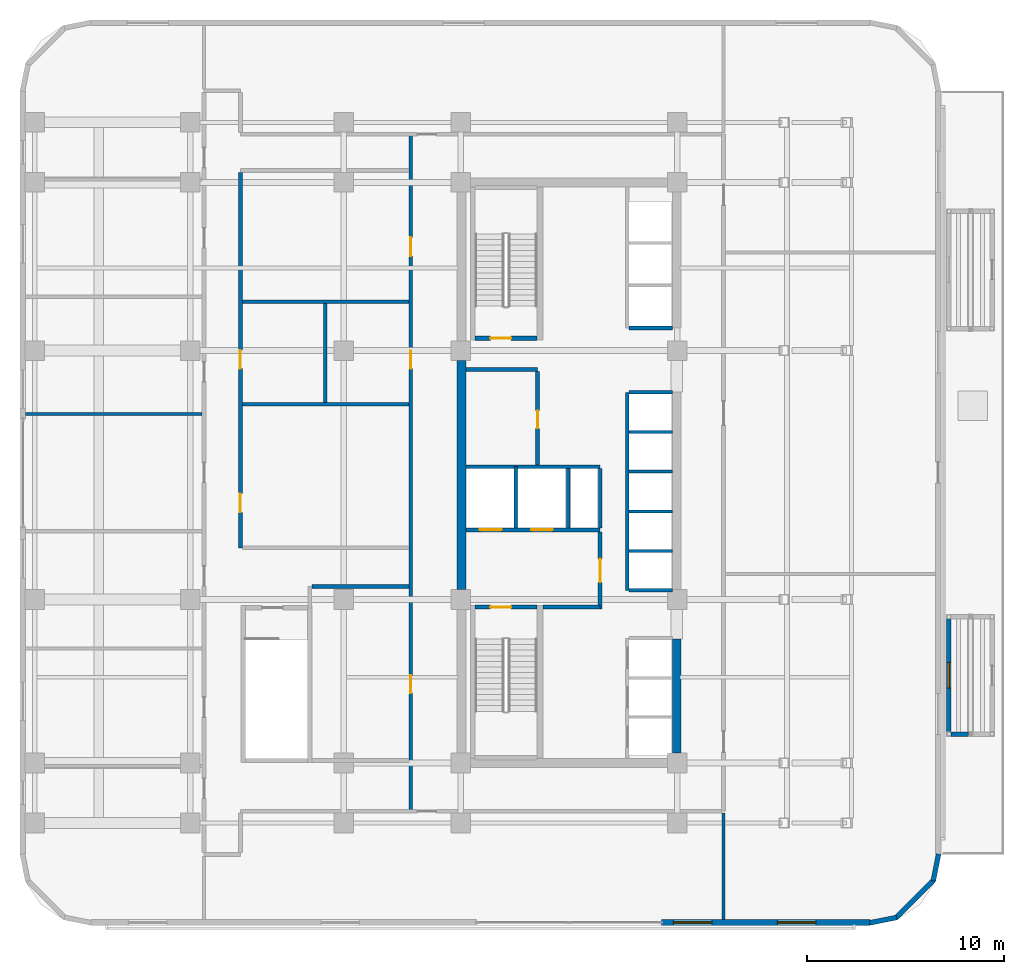
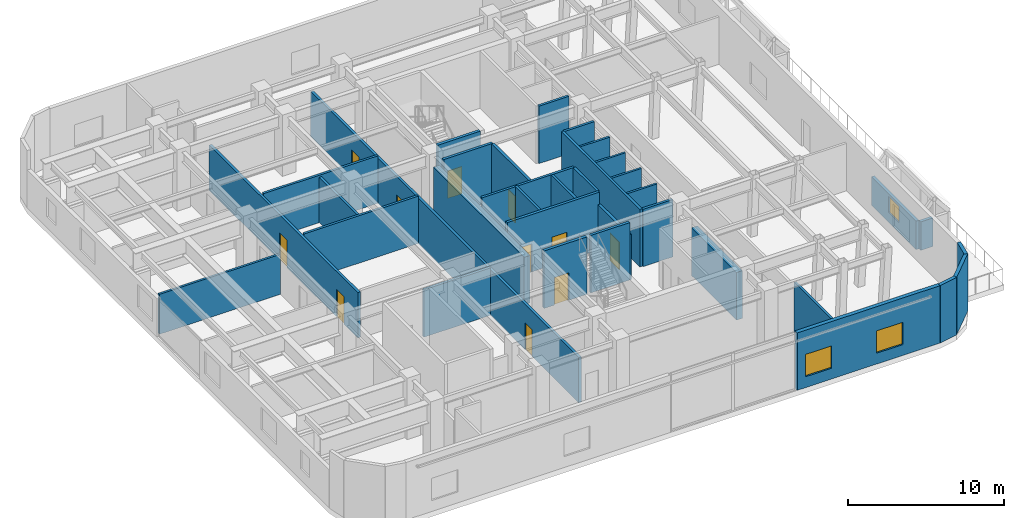
# One storey, part 11 of 18: 35 walls, 11 doors, 3 windows, 14 openings.
"""IFC4 building model written with IfcOpenShell, lengths in metres."""

from ifc_helpers import new_model, si_unit, direction, frame, frame_2d, origin, place, context, subcontext, project, spatial, rectangle, extrude, material, layer, layer_set, type_object, element, fill, save


model = new_model("IFC4")

# Units and contexts
model_context = context("Model", 3, precision=1e-05, world=origin(), true_north=direction((0.0, 1.0)))
body_context = subcontext(model_context, "Body", "Model", "MODEL_VIEW")
ifc_project = project(units=[si_unit("LENGTHUNIT", "METRE"), si_unit("AREAUNIT", "SQUARE_METRE"), si_unit("VOLUMEUNIT", "CUBIC_METRE"), si_unit("PLANEANGLEUNIT", "RADIAN"), si_unit("MASSUNIT", "GRAM", prefix="KILO")], contexts=[model_context])

# Site, building, storey
site_placement = place(None, origin())
site = spatial("IfcSite", under=ifc_project, at=site_placement, CompositionType="ELEMENT")
building_placement = place(site_placement, origin())
building = spatial("IfcBuilding", under=site, at=building_placement, Name="Ochreholt Gables", CompositionType="ELEMENT")
storey_placement = place(building_placement, frame((0.0, 0.0, 19.199951171875)))
storey = spatial("IfcBuildingStorey", under=building, at=storey_placement, Name="L04", CompositionType="ELEMENT", Elevation=19.199951171875)

# Walls
ifc_material_1 = material(Name="Concrete 60 MPa", Category="concrete")
ifc_layer_1 = layer(ifc_material_1, 0.449951171875, Name="Concrete 60 MPa")
ifc_layer_set_1 = layer_set([ifc_layer_1], Name="Concrete 60 MPa")
wall_type_1 = type_object("IfcWallType", Name="WALL-CSW-450", PredefinedType="SHEAR", material=ifc_layer_set_1)
wall_1_placement = place(storey_placement, frame((24.22509765625, 18.050048828125, 0.0), z_axis=(0.0, 0.0, 1.0), x_axis=(0.0, 1.0, 0.0)))
element("IfcWall", 1, at=wall_1_placement, inside=storey, type_object=wall_type_1, Name="L04 Core West Shear Wall WM", PredefinedType="SHEAR", context=body_context, shape_type="SweptSolid", body=[
    extrude(rectangle(XDim=11.64990234375, YDim=0.449951171875, at=frame_2d((5.824951171875, 0.0))), origin(), (0.0, 0.0, 1.0), 3.72998046875),
])
wall_2_placement = place(storey_placement, frame((35.175048828125, 9.75, 0.0), z_axis=(0.0, 0.0, 1.0), x_axis=(0.0, 1.0, 0.0)))
element("IfcWall", 2, at=wall_2_placement, inside=storey, type_object=wall_type_1, Name="L04 Core South-East Shear Wall", PredefinedType="SHEAR", context=body_context, shape_type="SweptSolid", body=[
    extrude(rectangle(XDim=5.800048828125, YDim=0.449951171875, at=frame_2d((2.89990234375, 0.0))), origin(), (0.0, 0.0, 1.0), 3.72998046875),
])

# Wall, openings, windows
ifc_material_2 = material(Name="Precast concrete 40 MPa", Category="concrete")
ifc_layer_2 = layer(ifc_material_2, 0.2900390625, Name="Precast concrete 40 MPa")
ifc_layer_set_2 = layer_set([ifc_layer_2], Name="Precast concrete 40 MPa")
wall_type_2 = type_object("IfcWallType", Name="WALL-EXT-290", PredefinedType="SOLIDWALL", material=ifc_layer_set_2)
wall_3_placement = place(storey_placement, frame((34.39990234375, 1.14501953125, 0.0), z_axis=(0.0, 0.0, 1.0), x_axis=(1.0, 0.0, 0.0)))
wall_3 = element("IfcWall", 3, at=wall_3_placement, inside=storey, type_object=wall_type_2, Name="L04 South Facade Wall 2", PredefinedType="SOLIDWALL", context=body_context, shape_type="SweptSolid", body=[
    extrude(rectangle(XDim=10.580078125, YDim=0.2900390625, at=frame_2d((5.2900390625, 0.0))), origin(), (0.0, 0.0, 1.0), 4.5),
])
opening_1_placement = place(wall_3_placement, frame((0.60009765625, 0.0, 0.85009765625)))
opening_1 = element("IfcOpeningElement", 4, at=opening_1_placement, cuts=wall_3, Name="Opening WN-9", PredefinedType="OPENING", context=body_context, shape_type="SweptSolid", body=[
    extrude(rectangle(XDim=1.949951171875, YDim=1.75, at=frame_2d((0.97509765625, 0.875))), frame((0.0, 0.155029296875, 0.0), z_axis=(0.0, -1.0, 0.0), x_axis=(1.0, 0.0, 0.0)), (0.0, 0.0, 1.0), 0.31005859375),
])
opening_2_placement = place(wall_3_placement, frame((5.889892578125, 0.0, 0.85009765625)))
opening_2 = element("IfcOpeningElement", 5, at=opening_2_placement, cuts=wall_3, Name="Opening WN-9", PredefinedType="OPENING", context=body_context, shape_type="SweptSolid", body=[
    extrude(rectangle(XDim=1.949951171875, YDim=1.75, at=frame_2d((0.97509765625, 0.875))), frame((0.0, 0.155029296875, 0.0), z_axis=(0.0, -1.0, 0.0), x_axis=(1.0, 0.0, 0.0)), (0.0, 0.0, 1.0), 0.31005859375),
])
ifc_material_3 = material(Name="Triple-Glazed Thermally Broken Aluminium Window", Category="aluminium")
window_type_1 = type_object("IfcWindowType", Name="WIN-CLN-1950", PartitioningType="SINGLE_PANEL", PredefinedType="WINDOW", material=ifc_material_3)
window_1_placement = place(opening_1_placement, origin())
window_1 = element("IfcWindow", 6, at=window_1_placement, inside=storey, type_object=window_type_1, Name="L04 Window W-EXT-S2-L04-1", OverallHeight=1.75, OverallWidth=1.949951171875, PartitioningType="SINGLE_PANEL", PredefinedType="WINDOW", context=body_context, shape_type="SweptSolid", body=[
    extrude(rectangle(XDim=1.949951171875, YDim=1.75, at=frame_2d((0.97509765625, 0.875))), frame((0.0, 0.030029296875, 0.0), z_axis=(0.0, -1.0, 0.0), x_axis=(1.0, 0.0, 0.0)), (0.0, 0.0, 1.0), 0.06005859375),
])
fill(opening_1, window_1)
window_2_placement = place(opening_2_placement, origin())
window_2 = element("IfcWindow", 7, at=window_2_placement, inside=storey, type_object=window_type_1, Name="L04 Window W-EXT-S2-L04-2", OverallHeight=1.75, OverallWidth=1.949951171875, PartitioningType="SINGLE_PANEL", PredefinedType="WINDOW", context=body_context, shape_type="SweptSolid", body=[
    extrude(rectangle(XDim=1.949951171875, YDim=1.75, at=frame_2d((0.97509765625, 0.875))), frame((0.0, 0.030029296875, 0.0), z_axis=(0.0, -1.0, 0.0), x_axis=(1.0, 0.0, 0.0)), (0.0, 0.0, 1.0), 0.06005859375),
])
fill(opening_2, window_2)

# Walls
ifc_layer_3 = layer(ifc_material_2, 0.25, Name="Precast concrete 40 MPa")
ifc_layer_set_3 = layer_set([ifc_layer_3], Name="Precast concrete 40 MPa")
wall_type_3 = type_object("IfcWallType", Name="WALL-EXT-CNR", PredefinedType="SOLIDWALL", material=ifc_layer_set_3)
wall_4_placement = place(storey_placement, frame((44.9833984375, 1.124267578125, 0.0), z_axis=(0.0, 0.0, 1.0), x_axis=(0.980809899341, 0.19496651342, 0.0)))
element("IfcWall", 8, at=wall_4_placement, inside=storey, type_object=wall_type_3, Name="L04 Rounded Corner Wall SE-1", PredefinedType="SOLIDWALL", context=body_context, shape_type="SweptSolid", body=[
    extrude(rectangle(XDim=1.388671875, YDim=0.25, at=frame_2d((0.6943359375, 0.0))), origin(), (0.0, 0.0, 1.0), 4.5),
])
wall_5_placement = place(storey_placement, frame((46.294921875, 1.367919921875, 0.0), z_axis=(0.0, 0.0, 1.0), x_axis=(0.707106781187, 0.707106781187, 0.0)))
element("IfcWall", 9, at=wall_5_placement, inside=storey, type_object=wall_type_3, Name="L04 Rounded Corner Wall SE-2", PredefinedType="SOLIDWALL", context=body_context, shape_type="SweptSolid", body=[
    extrude(rectangle(XDim=2.7392578125, YDim=0.25, at=frame_2d((1.36962890625, 0.0))), origin(), (0.0, 0.0, 1.0), 4.5),
])
wall_6_placement = place(storey_placement, frame((48.205078125, 3.25439453125, 0.0), z_axis=(0.0, 0.0, 1.0), x_axis=(0.19496651342, 0.980809899341, 0.0)))
element("IfcWall", 10, at=wall_6_placement, inside=storey, type_object=wall_type_3, Name="L04 Rounded Corner Wall SE-3", PredefinedType="SOLIDWALL", context=body_context, shape_type="SweptSolid", body=[
    extrude(rectangle(XDim=1.388671875, YDim=0.25, at=frame_2d((0.6943359375, 0.0))), origin(), (0.0, 0.0, 1.0), 4.5),
])
ifc_layer_4 = layer(ifc_material_2, 0.22998046875, Name="Precast concrete 40 MPa")
ifc_layer_set_4 = layer_set([ifc_layer_4], Name="Precast concrete 40 MPa")
wall_type_4 = type_object("IfcWallType", Name="WALL-EXT-GAB", PredefinedType="SOLIDWALL", material=ifc_layer_set_4)
wall_7_placement = place(storey_placement, frame((49.10205078125, 10.715087890625, 0.0), z_axis=(0.0, 0.0, 1.0), x_axis=(1.0, 0.0, 0.0)))
element("IfcWall", 11, at=wall_7_placement, inside=storey, type_object=wall_type_4, Name="L04 Gable End Wall GB-04E1-S1", PredefinedType="SOLIDWALL", context=body_context, shape_type="SweptSolid", body=[
    extrude(rectangle(XDim=0.89599609375, YDim=0.22998046875, at=frame_2d((0.447998046875, 0.0))), origin(), (0.0, 0.0, 1.0), 2.22705078125),
])

# Wall, opening, window
wall_8_placement = place(storey_placement, frame((48.9951171875, 10.822021484375, 0.0), z_axis=(0.0, 0.0, 1.0), x_axis=(0.0, 1.0, 0.0)))
wall_8 = element("IfcWall", 12, at=wall_8_placement, inside=storey, type_object=wall_type_4, Name="L04 Gable Eave Wall GB-04E1-W", PredefinedType="SOLIDWALL", context=body_context, shape_type="SweptSolid", body=[
    extrude(rectangle(XDim=5.755859375, YDim=0.22998046875, at=frame_2d((2.8779296875, 0.0))), origin(), (0.0, 0.0, 1.0), 2.22705078125),
])
opening_3_placement = place(wall_8_placement, frame((2.22802734375, 0.0, 0.780029296875)))
opening_3 = element("IfcOpeningElement", 13, at=opening_3_placement, cuts=wall_8, Name="Opening WN-6", PredefinedType="OPENING", context=body_context, shape_type="SweptSolid", body=[
    extrude(rectangle(XDim=1.300048828125, YDim=1.25, at=frame_2d((0.64990234375, 0.625))), frame((0.0, 0.125, 0.0), z_axis=(0.0, -1.0, 0.0), x_axis=(1.0, 0.0, 0.0)), (0.0, 0.0, 1.0), 0.25),
])
window_type_2 = type_object("IfcWindowType", Name="WIN-GAB-1300", PartitioningType="SINGLE_PANEL", PredefinedType="WINDOW", material=ifc_material_3)
window_3_placement = place(opening_3_placement, origin())
window_3 = element("IfcWindow", 14, at=window_3_placement, inside=storey, type_object=window_type_2, Name="L04 Gable Pavilion Window GB-04E1", OverallHeight=1.25, OverallWidth=1.300048828125, PartitioningType="SINGLE_PANEL", PredefinedType="WINDOW", context=body_context, shape_type="SweptSolid", body=[
    extrude(rectangle(XDim=1.300048828125, YDim=1.25, at=frame_2d((0.64990234375, 0.625))), frame((0.0, 0.030029296875, 0.0), z_axis=(0.0, -1.0, 0.0), x_axis=(1.0, 0.0, 0.0)), (0.0, 0.0, 1.0), 0.06005859375),
])
fill(opening_3, window_3)

# Wall, openings, doors
ifc_material_4 = material(Name="Concrete 40 MPa", Category="concrete")
ifc_layer_5 = layer(ifc_material_4, 0.199951171875, Name="Concrete 40 MPa")
ifc_layer_set_5 = layer_set([ifc_layer_5], Name="Concrete 40 MPa")
wall_type_5 = type_object("IfcWallType", Name="WALL-INT-CF200", PredefinedType="STANDARD", material=ifc_layer_set_5)
wall_9_placement = place(storey_placement, frame((24.449951171875, 21.090087890625, 0.0), z_axis=(0.0, 0.0, 1.0), x_axis=(1.0, 0.0, 0.0)))
wall_9 = element("IfcWall", 15, at=wall_9_placement, inside=storey, type_object=wall_type_5, Name="L04 Interior Wall WI-FFN-L04", PredefinedType="STANDARD", context=body_context, shape_type="SweptSolid", body=[
    extrude(rectangle(XDim=6.830078125, YDim=0.199951171875, at=frame_2d((3.4150390625, 0.0))), origin(), (0.0, 0.0, 1.0), 4.5),
])
opening_4_placement = place(wall_9_placement, frame((0.719970703125, 0.0, 0.0)))
opening_4 = element("IfcOpeningElement", 16, at=opening_4_placement, cuts=wall_9, Name="Opening LD-FF", PredefinedType="OPENING", context=body_context, shape_type="SweptSolid", body=[
    extrude(rectangle(XDim=1.10009765625, YDim=2.199951171875, at=frame_2d((0.550048828125, 1.10009765625))), frame((0.0, 0.10986328125, 0.0), z_axis=(0.0, -1.0, 0.0), x_axis=(1.0, 0.0, 0.0)), (0.0, 0.0, 1.0), 0.219970703125),
])
opening_5_placement = place(wall_9_placement, frame((3.320068359375, 0.0, 0.0)))
opening_5 = element("IfcOpeningElement", 17, at=opening_5_placement, cuts=wall_9, Name="Opening LD-FF", PredefinedType="OPENING", context=body_context, shape_type="SweptSolid", body=[
    extrude(rectangle(XDim=1.10009765625, YDim=2.199951171875, at=frame_2d((0.550048828125, 1.10009765625))), frame((0.0, 0.10986328125, 0.0), z_axis=(0.0, -1.0, 0.0), x_axis=(1.0, 0.0, 0.0)), (0.0, 0.0, 1.0), 0.219970703125),
])
ifc_material_5 = material(Name="Stainless Steel", Category="steel")
door_type_1 = type_object("IfcDoorType", Name="DR-LFT-FF1100", OperationType="NOTDEFINED", PredefinedType="DOOR", material=ifc_material_5)
door_1_placement = place(opening_4_placement, origin())
door_1 = element("IfcDoor", 18, at=door_1_placement, inside=storey, type_object=door_type_1, Name="L04 Door LD-FF1-L04", OperationType="SLIDING_TO_LEFT", OverallHeight=2.199951171875, OverallWidth=1.10009765625, PredefinedType="DOOR", context=body_context, shape_type="SweptSolid", body=[
    extrude(rectangle(XDim=1.10009765625, YDim=2.199951171875, at=frame_2d((0.550048828125, 1.10009765625))), frame((0.0, 0.02490234375, 0.0), z_axis=(0.0, -1.0, 0.0), x_axis=(1.0, 0.0, 0.0)), (0.0, 0.0, 1.0), 0.050048828125),
])
fill(opening_4, door_1)
door_2_placement = place(opening_5_placement, origin())
door_2 = element("IfcDoor", 19, at=door_2_placement, inside=storey, type_object=door_type_1, Name="L04 Door LD-FF2-L04", OperationType="SLIDING_TO_LEFT", OverallHeight=2.199951171875, OverallWidth=1.10009765625, PredefinedType="DOOR", context=body_context, shape_type="SweptSolid", body=[
    extrude(rectangle(XDim=1.10009765625, YDim=2.199951171875, at=frame_2d((0.550048828125, 1.10009765625))), frame((0.0, 0.02490234375, 0.0), z_axis=(0.0, -1.0, 0.0), x_axis=(1.0, 0.0, 0.0)), (0.0, 0.0, 1.0), 0.050048828125),
])
fill(opening_5, door_2)

# Wall
wall_10_placement = place(storey_placement, frame((28.3798828125, 17.169921875, 0.0), z_axis=(0.0, 0.0, 1.0), x_axis=(1.0, 0.0, 0.0)))
element("IfcWall", 20, at=wall_10_placement, inside=storey, type_object=wall_type_5, Name="L04 Interior Wall WI-FFS-L04", PredefinedType="STANDARD", context=body_context, shape_type="SweptSolid", body=[
    extrude(rectangle(XDim=2.900146484375, YDim=0.199951171875, at=frame_2d((1.4501953125, 0.0))), origin(), (0.0, 0.0, 1.0), 4.5),
])

# Wall, opening, door
wall_11_placement = place(storey_placement, frame((31.280029296875, 17.070068359375, 0.0), z_axis=(0.0, 0.0, 1.0), x_axis=(0.0, 1.0, 0.0)))
wall_11 = element("IfcWall", 21, at=wall_11_placement, inside=storey, type_object=wall_type_5, Name="L04 Interior Wall WI-FFE-L04", PredefinedType="STANDARD", context=body_context, shape_type="SweptSolid", body=[
    extrude(rectangle(XDim=3.919921875, YDim=0.199951171875, at=frame_2d((1.9599609375, 0.0))), origin(), (0.0, 0.0, 1.0), 3.554931640625),
])
opening_6_placement = place(wall_11_placement, frame((1.35009765625, 0.0, 0.0)))
opening_6 = element("IfcOpeningElement", 22, at=opening_6_placement, cuts=wall_11, Name="Opening D-FFL", PredefinedType="OPENING", context=body_context, shape_type="SweptSolid", body=[
    extrude(rectangle(XDim=1.199951171875, YDim=2.14990234375, at=frame_2d((0.60009765625, 1.074951171875))), frame((0.0, 0.10986328125, 0.0), z_axis=(0.0, -1.0, 0.0), x_axis=(1.0, 0.0, 0.0)), (0.0, 0.0, 1.0), 0.219970703125),
])
ifc_material_6 = material(Name="Hollow Metal Steel", Category="steel")
door_type_2 = type_object("IfcDoorType", Name="DR-INT-FFL1200", OperationType="NOTDEFINED", PredefinedType="DOOR", material=ifc_material_6)
door_3_placement = place(opening_6_placement, origin())
door_3 = element("IfcDoor", 23, at=door_3_placement, inside=storey, type_object=door_type_2, Name="L04 Door D-FFL-L04", OperationType="SINGLE_SWING_LEFT", OverallHeight=2.14990234375, OverallWidth=1.199951171875, PredefinedType="DOOR", context=body_context, shape_type="SweptSolid", body=[
    extrude(rectangle(XDim=1.199951171875, YDim=2.14990234375, at=frame_2d((0.60009765625, 1.074951171875))), frame((0.0, 0.02490234375, 0.0), z_axis=(0.0, -1.0, 0.0), x_axis=(1.0, 0.0, 0.0)), (0.0, 0.0, 1.0), 0.050048828125),
])
fill(opening_6, door_3)

# Wall
wall_12_placement = place(storey_placement, frame((24.449951171875, 29.239990234375, 0.0), z_axis=(0.0, 0.0, 1.0), x_axis=(1.0, 0.0, 0.0)))
element("IfcWall", 24, at=wall_12_placement, inside=storey, type_object=wall_type_5, Name="L04 Interior Wall WI-SRVN-L04", PredefinedType="STANDARD", context=body_context, shape_type="SweptSolid", body=[
    extrude(rectangle(XDim=3.650146484375, YDim=0.199951171875, at=frame_2d((1.8251953125, 0.0))), origin(), (0.0, 0.0, 1.0), 4.5),
])

# Wall, opening, door
wall_13_placement = place(storey_placement, frame((28.10009765625, 24.389892578125, 0.0), z_axis=(0.0, 0.0, 1.0), x_axis=(0.0, 1.0, 0.0)))
wall_13 = element("IfcWall", 25, at=wall_13_placement, inside=storey, type_object=wall_type_5, Name="L04 Interior Wall WI-SRVE-L04", PredefinedType="STANDARD", context=body_context, shape_type="SweptSolid", body=[
    extrude(rectangle(XDim=4.75, YDim=0.199951171875, at=frame_2d((2.375, 0.0))), origin(), (0.0, 0.0, 1.0), 4.5),
])
opening_7_placement = place(wall_13_placement, frame((1.860107421875, 0.0, 0.0)))
opening_7 = element("IfcOpeningElement", 26, at=opening_7_placement, cuts=wall_13, Name="Opening D-SV1", PredefinedType="OPENING", context=body_context, shape_type="SweptSolid", body=[
    extrude(rectangle(XDim=0.89990234375, YDim=2.10009765625, at=frame_2d((0.449951171875, 1.050048828125))), frame((0.0, 0.10986328125, 0.0), z_axis=(0.0, -1.0, 0.0), x_axis=(1.0, 0.0, 0.0)), (0.0, 0.0, 1.0), 0.219970703125),
])
door_type_3 = type_object("IfcDoorType", Name="DR-INT-SRV900", OperationType="NOTDEFINED", PredefinedType="DOOR", material=ifc_material_6)
door_4_placement = place(opening_7_placement, origin())
door_4 = element("IfcDoor", 27, at=door_4_placement, inside=storey, type_object=door_type_3, Name="L04 Door D-SRV1-L04", OperationType="SINGLE_SWING_LEFT", OverallHeight=2.10009765625, OverallWidth=0.89990234375, PredefinedType="DOOR", context=body_context, shape_type="SweptSolid", body=[
    extrude(rectangle(XDim=0.89990234375, YDim=2.10009765625, at=frame_2d((0.449951171875, 1.050048828125))), frame((0.0, 0.02490234375, 0.0), z_axis=(0.0, -1.0, 0.0), x_axis=(1.0, 0.0, 0.0)), (0.0, 0.0, 1.0), 0.050048828125),
])
fill(opening_7, door_4)

# Wall, openings, doors
ifc_material_7 = material(Name="Fire-Rated Gypsum Acoustic Partition", Category="gypsum")
ifc_layer_6 = layer(ifc_material_7, 0.18994140625, Name="Fire-Rated Gypsum Acoustic Partition")
ifc_layer_set_6 = layer_set([ifc_layer_6], Name="Fire-Rated Gypsum Acoustic Partition")
wall_type_6 = type_object("IfcWallType", Name="WALL-INT-CR190", PredefinedType="STANDARD", material=ifc_layer_set_6)
wall_14_placement = place(storey_placement, frame((21.64990234375, 6.800048828125, 0.0), z_axis=(0.0, 0.0, 1.0), x_axis=(0.0, 1.0, 0.0)))
wall_14 = element("IfcWall", 28, at=wall_14_placement, inside=storey, type_object=wall_type_6, Name="L04 Interior Wall WI-CLCW-L04", PredefinedType="STANDARD", context=body_context, shape_type="SweptSolid", body=[
    extrude(rectangle(XDim=34.39990234375, YDim=0.18994140625, at=frame_2d((17.199951171875, 0.0))), origin(), (0.0, 0.0, 1.0), 3.554931640625),
])
opening_8_placement = place(wall_14_placement, frame((22.47998046875, 0.0, 0.0)))
opening_8 = element("IfcOpeningElement", 29, at=opening_8_placement, cuts=wall_14, Name="Opening D-WC1", PredefinedType="OPENING", context=body_context, shape_type="SweptSolid", body=[
    extrude(rectangle(XDim=0.919921875, YDim=2.139892578125, at=frame_2d((0.4599609375, 1.06982421875))), frame((0.0, 0.10498046875, 0.0), z_axis=(0.0, -1.0, 0.0), x_axis=(1.0, 0.0, 0.0)), (0.0, 0.0, 1.0), 0.2099609375),
])
opening_9_placement = place(wall_14_placement, frame((28.199951171875, 0.0, 0.0)))
opening_9 = element("IfcOpeningElement", 30, at=opening_9_placement, cuts=wall_14, Name="Opening D-GN1", PredefinedType="OPENING", context=body_context, shape_type="SweptSolid", body=[
    extrude(rectangle(XDim=0.949951171875, YDim=2.14990234375, at=frame_2d((0.47509765625, 1.074951171875))), frame((0.0, 0.10498046875, 0.0), z_axis=(0.0, -1.0, 0.0), x_axis=(1.0, 0.0, 0.0)), (0.0, 0.0, 1.0), 0.2099609375),
])
opening_10_placement = place(wall_14_placement, frame((6.0, 0.0, 0.0)))
opening_10 = element("IfcOpeningElement", 31, at=opening_10_placement, cuts=wall_14, Name="Opening D-SV1", PredefinedType="OPENING", context=body_context, shape_type="SweptSolid", body=[
    extrude(rectangle(XDim=0.89990234375, YDim=2.10009765625, at=frame_2d((0.449951171875, 1.050048828125))), frame((0.0, 0.10498046875, 0.0), z_axis=(0.0, -1.0, 0.0), x_axis=(1.0, 0.0, 0.0)), (0.0, 0.0, 1.0), 0.2099609375),
])
ifc_material_8 = material(Name="Engineered Oak Timber", Category="wood")
door_type_4 = type_object("IfcDoorType", Name="DR-INT-GEN950", OperationType="NOTDEFINED", PredefinedType="DOOR", material=ifc_material_8)
door_5_placement = place(opening_9_placement, origin())
door_5 = element("IfcDoor", 32, at=door_5_placement, inside=storey, type_object=door_type_4, Name="L04 Door D-CLMN2-L04", OperationType="SINGLE_SWING_RIGHT", OverallHeight=2.14990234375, OverallWidth=0.949951171875, PredefinedType="DOOR", context=body_context, shape_type="SweptSolid", body=[
    extrude(rectangle(XDim=0.949951171875, YDim=2.14990234375, at=frame_2d((0.47509765625, 1.074951171875))), frame((0.0, 0.02490234375, 0.0), z_axis=(0.0, -1.0, 0.0), x_axis=(1.0, 0.0, 0.0)), (0.0, 0.0, 1.0), 0.050048828125),
])
fill(opening_9, door_5)
door_6_placement = place(opening_10_placement, origin())
door_6 = element("IfcDoor", 33, at=door_6_placement, inside=storey, type_object=door_type_3, Name="L04 Door D-CLMRS-L04", OperationType="SINGLE_SWING_LEFT", OverallHeight=2.10009765625, OverallWidth=0.89990234375, PredefinedType="DOOR", context=body_context, shape_type="SweptSolid", body=[
    extrude(rectangle(XDim=0.89990234375, YDim=2.10009765625, at=frame_2d((0.449951171875, 1.050048828125))), frame((0.0, 0.02490234375, 0.0), z_axis=(0.0, -1.0, 0.0), x_axis=(1.0, 0.0, 0.0)), (0.0, 0.0, 1.0), 0.050048828125),
])
fill(opening_10, door_6)
door_type_5 = type_object("IfcDoorType", Name="DR-INT-WC920", OperationType="NOTDEFINED", PredefinedType="DOOR", material=ifc_material_8)
door_7_placement = place(opening_8_placement, origin())
door_7 = element("IfcDoor", 34, at=door_7_placement, inside=storey, type_object=door_type_5, Name="L04 Door D-CLMWC2-L04", OperationType="SINGLE_SWING_LEFT", OverallHeight=2.139892578125, OverallWidth=0.919921875, PredefinedType="DOOR", context=body_context, shape_type="SweptSolid", body=[
    extrude(rectangle(XDim=0.919921875, YDim=2.139892578125, at=frame_2d((0.4599609375, 1.06982421875))), frame((0.0, 0.02490234375, 0.0), z_axis=(0.0, -1.0, 0.0), x_axis=(1.0, 0.0, 0.0)), (0.0, 0.0, 1.0), 0.050048828125),
])
fill(opening_8, door_7)

wall_15_placement = place(storey_placement, frame((13.0, 20.179931640625, 0.0), z_axis=(0.0, 0.0, 1.0), x_axis=(0.0, 1.0, 0.0)))
wall_15 = element("IfcWall", 35, at=wall_15_placement, inside=storey, type_object=wall_type_6, Name="L04 Interior Wall WI-CLCWE-L04", PredefinedType="STANDARD", context=body_context, shape_type="SweptSolid", body=[
    extrude(rectangle(XDim=19.074951171875, YDim=0.18994140625, at=frame_2d((9.53759765625, 0.0))), origin(), (0.0, 0.0, 1.0), 3.554931640625),
])
opening_11_placement = place(wall_15_placement, frame((1.800048828125, 0.0, 0.0)))
opening_11 = element("IfcOpeningElement", 36, at=opening_11_placement, cuts=wall_15, Name="Opening D-GN1", PredefinedType="OPENING", context=body_context, shape_type="SweptSolid", body=[
    extrude(rectangle(XDim=0.949951171875, YDim=2.14990234375, at=frame_2d((0.47509765625, 1.074951171875))), frame((0.0, 0.10498046875, 0.0), z_axis=(0.0, -1.0, 0.0), x_axis=(1.0, 0.0, 0.0)), (0.0, 0.0, 1.0), 0.2099609375),
])
opening_12_placement = place(wall_15_placement, frame((9.10009765625, 0.0, 0.0)))
opening_12 = element("IfcOpeningElement", 37, at=opening_12_placement, cuts=wall_15, Name="Opening D-WC2", PredefinedType="OPENING", context=body_context, shape_type="SweptSolid", body=[
    extrude(rectangle(XDim=0.949951171875, YDim=2.139892578125, at=frame_2d((0.47509765625, 1.06982421875))), frame((0.0, 0.10498046875, 0.0), z_axis=(0.0, -1.0, 0.0), x_axis=(1.0, 0.0, 0.0)), (0.0, 0.0, 1.0), 0.2099609375),
])
door_8_placement = place(opening_11_placement, origin())
door_8 = element("IfcDoor", 38, at=door_8_placement, inside=storey, type_object=door_type_4, Name="L04 Door D-CLMN1-L04", OperationType="SINGLE_SWING_LEFT", OverallHeight=2.14990234375, OverallWidth=0.949951171875, PredefinedType="DOOR", context=body_context, shape_type="SweptSolid", body=[
    extrude(rectangle(XDim=0.949951171875, YDim=2.14990234375, at=frame_2d((0.47509765625, 1.074951171875))), frame((0.0, 0.02490234375, 0.0), z_axis=(0.0, -1.0, 0.0), x_axis=(1.0, 0.0, 0.0)), (0.0, 0.0, 1.0), 0.050048828125),
])
fill(opening_11, door_8)
door_type_6 = type_object("IfcDoorType", Name="DR-INT-WC950", OperationType="NOTDEFINED", PredefinedType="DOOR", material=ifc_material_8)
door_9_placement = place(opening_12_placement, origin())
door_9 = element("IfcDoor", 39, at=door_9_placement, inside=storey, type_object=door_type_6, Name="L04 Door D-CLMWC1-L04", OperationType="SINGLE_SWING_RIGHT", OverallHeight=2.139892578125, OverallWidth=0.949951171875, PredefinedType="DOOR", context=body_context, shape_type="SweptSolid", body=[
    extrude(rectangle(XDim=0.949951171875, YDim=2.139892578125, at=frame_2d((0.47509765625, 1.06982421875))), frame((0.0, 0.02490234375, 0.0), z_axis=(0.0, -1.0, 0.0), x_axis=(1.0, 0.0, 0.0)), (0.0, 0.0, 1.0), 0.050048828125),
])
fill(opening_12, door_9)

# Walls
wall_16_placement = place(storey_placement, frame((16.6298828125, 18.219970703125, 0.0), z_axis=(0.0, 0.0, 1.0), x_axis=(1.0, 0.0, 0.0)))
element("IfcWall", 40, at=wall_16_placement, inside=storey, type_object=wall_type_6, Name="L04 Interior Wall WI-CLSTP-L04", PredefinedType="STANDARD", context=body_context, shape_type="SweptSolid", body=[
    extrude(rectangle(XDim=4.925048828125, YDim=0.18994140625, at=frame_2d((2.46240234375, 0.0))), origin(), (0.0, 0.0, 1.0), 3.712158203125),
])
ifc_material_9 = material(Name="Moisture-Resistant Plumbing Chase Wall", Category="gypsum")
ifc_layer_7 = layer(ifc_material_9, 0.175048828125, Name="Moisture-Resistant Plumbing Chase Wall")
ifc_layer_set_7 = layer_set([ifc_layer_7], Name="Moisture-Resistant Plumbing Chase Wall")
wall_type_7 = type_object("IfcWallType", Name="WALL-INT-PL175", PredefinedType="PLUMBINGWALL", material=ifc_layer_set_7)
for number, where, z_axis, x_axis, name in (
    (41, (13.094970703125, 27.47998046875, 0.0), (0.0, 0.0, 1.0), (1.0, 0.0, 0.0), "L04 Interior Wall WI-CLMW1-L04"),
    (42, (13.094970703125, 32.679931640625, 0.0), (0.0, 0.0, 1.0), (1.0, 0.0, 0.0), "L04 Interior Wall WI-CLMW2-L04"),
):
    element("IfcWall", number, at=place(storey_placement, frame(where, z_axis=z_axis, x_axis=x_axis)), inside=storey, type_object=wall_type_7, Name=name, PredefinedType="PLUMBINGWALL", context=body_context, shape_type="SweptSolid", body=[
        extrude(rectangle(XDim=8.4599609375, YDim=0.175048828125, at=frame_2d((4.22998046875, 0.0))), origin(), (0.0, 0.0, 1.0), 3.712158203125),
    ])
wall_17_placement = place(storey_placement, frame((17.300048828125, 27.5673828125, 0.0), z_axis=(0.0, 0.0, 1.0), x_axis=(0.0, 1.0, 0.0)))
element("IfcWall", 43, at=wall_17_placement, inside=storey, type_object=wall_type_7, Name="L04 Interior Wall WI-CLMW3-L04", PredefinedType="PLUMBINGWALL", context=body_context, shape_type="SweptSolid", body=[
    extrude(rectangle(XDim=5.025146484375, YDim=0.175048828125, at=frame_2d((2.5126953125, 0.0))), origin(), (0.0, 0.0, 1.0), 3.554931640625),
])
ifc_material_10 = material(Name="Gypsum Acoustic Stud Partition", Category="gypsum")
ifc_layer_8 = layer(ifc_material_10, 0.159912109375, Name="Gypsum Acoustic Stud Partition")
ifc_layer_set_8 = layer_set([ifc_layer_8], Name="Gypsum Acoustic Stud Partition")
wall_type_8 = type_object("IfcWallType", Name="WALL-INT-PT160", PredefinedType="PARTITIONING", material=ifc_layer_set_8)
wall_18_placement = place(storey_placement, frame((37.550048828125, 1.2900390625, 0.0), z_axis=(0.0, 0.0, 1.0), x_axis=(0.0, 1.0, 0.0)))
element("IfcWall", 44, at=wall_18_placement, inside=storey, type_object=wall_type_8, Name="L04 Interior Wall WI-CLCES-L04", PredefinedType="PARTITIONING", context=body_context, shape_type="SweptSolid", body=[
    extrude(rectangle(XDim=5.4150390625, YDim=0.159912109375, at=frame_2d((2.70751953125, 0.0))), origin(), (0.0, 0.0, 1.0), 3.948974609375),
])
wall_19_placement = place(storey_placement, frame((2.090087890625, 26.97998046875, 0.0), z_axis=(0.0, 0.0, 1.0), x_axis=(1.0, 0.0, 0.0)))
element("IfcWall", 45, at=wall_19_placement, inside=storey, type_object=wall_type_8, Name="L04 Interior Wall WI-CLW4-L04", PredefinedType="PARTITIONING", context=body_context, shape_type="SweptSolid", body=[
    extrude(rectangle(XDim=8.96484375, YDim=0.159912109375, at=frame_2d((4.482421875, 0.0))), origin(), (0.0, 0.0, 1.0), 3.132080078125),
])
ifc_material_11 = material(Name="Gypsum Shaftliner and Steel Stud", Category="steel")
ifc_layer_9 = layer(ifc_material_11, 0.14990234375, Name="Gypsum Shaftliner and Steel Stud")
ifc_layer_set_9 = layer_set([ifc_layer_9], Name="Gypsum Shaftliner and Steel Stud")
wall_type_9 = type_object("IfcWallType", Name="WALL-INT-SH150", PredefinedType="STANDARD", material=ifc_layer_set_9)
for number, where, z_axis, x_axis, name in (
    (46, (32.739990234375, 20.02001953125, 0.0), (0.0, 0.0, 1.0), (1.0, 0.0, 0.0), "L04 Interior Wall WI-LFHE-DH1-L04"),
    (47, (32.739990234375, 22.02001953125, 0.0), (0.0, 0.0, 1.0), (1.0, 0.0, 0.0), "L04 Interior Wall WI-LFHE-DH2-L04"),
    (48, (32.739990234375, 24.050048828125, 0.0), (0.0, 0.0, 1.0), (1.0, 0.0, 0.0), "L04 Interior Wall WI-LFHE-DHE-L04"),
    (49, (32.739990234375, 26.070068359375, 0.0), (0.0, 0.0, 1.0), (1.0, 0.0, 0.0), "L04 Interior Wall WI-LFHE-DEX1-L04"),
):
    element("IfcWall", number, at=place(storey_placement, frame(where, z_axis=z_axis, x_axis=x_axis)), inside=storey, type_object=wall_type_9, Name=name, PredefinedType="STANDARD", context=body_context, shape_type="SweptSolid", body=[
        extrude(rectangle(XDim=2.2099609375, YDim=0.14990234375, at=frame_2d((1.10498046875, 0.0))), origin(), (0.0, 0.0, 1.0), 4.5),
    ])
ifc_layer_10 = layer(ifc_material_11, 0.179931640625, Name="Gypsum Shaftliner and Steel Stud")
ifc_layer_set_10 = layer_set([ifc_layer_10], Name="Gypsum Shaftliner and Steel Stud")
wall_type_10 = type_object("IfcWallType", Name="WALL-INT-SH180", PredefinedType="STANDARD", material=ifc_layer_set_10)
wall_20_placement = place(storey_placement, frame((27.0, 21.18994140625, 0.0), z_axis=(0.0, 0.0, 1.0), x_axis=(0.0, 1.0, 0.0)))
element("IfcWall", 50, at=wall_20_placement, inside=storey, type_object=wall_type_10, Name="L04 Interior Wall WI-FFDIV-L04", PredefinedType="STANDARD", context=body_context, shape_type="SweptSolid", body=[
    extrude(rectangle(XDim=3.110107421875, YDim=0.179931640625, at=frame_2d((1.55517578125, 0.0))), origin(), (0.0, 0.0, 1.0), 4.5),
])
wall_21_placement = place(storey_placement, frame((24.449951171875, 24.300048828125, 0.0), z_axis=(0.0, 0.0, 1.0), x_axis=(1.0, 0.0, 0.0)))
element("IfcWall", 51, at=wall_21_placement, inside=storey, type_object=wall_type_10, Name="L04 Interior Wall WI-FFBK-L04", PredefinedType="STANDARD", context=body_context, shape_type="SweptSolid", body=[
    extrude(rectangle(XDim=6.830078125, YDim=0.179931640625, at=frame_2d((3.4150390625, 0.0))), origin(), (0.0, 0.0, 1.0), 4.5),
])
for number, where, z_axis, x_axis, name in (
    (52, (29.64990234375, 21.18994140625, 0.0), (0.0, 0.0, 1.0), (0.0, 1.0, 0.0), "L04 Interior Wall WI-FFSH-L04"),
    (53, (31.280029296875, 21.18994140625, 0.0), (0.0, 0.0, 1.0), (0.0, 1.0, 0.0), "L04 Interior Wall WI-RSE-L04"),
):
    element("IfcWall", number, at=place(storey_placement, frame(where, z_axis=z_axis, x_axis=x_axis)), inside=storey, type_object=wall_type_10, Name=name, PredefinedType="STANDARD", context=body_context, shape_type="SweptSolid", body=[
        extrude(rectangle(XDim=3.02001953125, YDim=0.179931640625, at=frame_2d((1.510009765625, 0.0))), origin(), (0.0, 0.0, 1.0), 4.5),
    ])
wall_22_placement = place(storey_placement, frame((32.64990234375, 18.02001953125, 0.0), z_axis=(0.0, 0.0, 1.0), x_axis=(0.0, 1.0, 0.0)))
element("IfcWall", 54, at=wall_22_placement, inside=storey, type_object=wall_type_10, Name="L04 Interior Wall WI-LFHE-FR-L04", PredefinedType="STANDARD", context=body_context, shape_type="SweptSolid", body=[
    extrude(rectangle(XDim=10.06005859375, YDim=0.179931640625, at=frame_2d((5.030029296875, 0.0))), origin(), (0.0, 0.0, 1.0), 4.5),
])
for number, where, z_axis, x_axis, name in (
    (55, (32.739990234375, 18.02001953125, 0.0), (0.0, 0.0, 1.0), (1.0, 0.0, 0.0), "L04 Interior Wall WI-LFHE-S-L04"),
    (56, (32.739990234375, 28.080078125, 0.0), (0.0, 0.0, 1.0), (1.0, 0.0, 0.0), "L04 Interior Wall WI-LFHE-N-L04"),
    (57, (32.739990234375, 31.35009765625, 0.0), (0.0, 0.0, 1.0), (1.0, 0.0, 0.0), "L04 Interior Wall WI-LFM-S-L04"),
):
    element("IfcWall", number, at=place(storey_placement, frame(where, z_axis=z_axis, x_axis=x_axis)), inside=storey, type_object=wall_type_10, Name=name, PredefinedType="STANDARD", context=body_context, shape_type="SweptSolid", body=[
        extrude(rectangle(XDim=2.2099609375, YDim=0.179931640625, at=frame_2d((1.10498046875, 0.0))), origin(), (0.0, 0.0, 1.0), 4.5),
    ])

# Wall, opening, door
ifc_material_12 = material(Name="Concrete 50 MPa", Category="concrete")
ifc_layer_11 = layer(ifc_material_12, 0.219970703125, Name="Concrete 50 MPa")
ifc_layer_set_11 = layer_set([ifc_layer_11], Name="Concrete 50 MPa")
wall_type_11 = type_object("IfcWallType", Name="WALL-STW-220", PredefinedType="SHEAR", material=ifc_layer_set_11)
wall_23_placement = place(storey_placement, frame((24.919921875, 17.169921875, 0.0), z_axis=(0.0, 0.0, 1.0), x_axis=(1.0, 0.0, 0.0)))
wall_23 = element("IfcWall", 58, at=wall_23_placement, inside=storey, type_object=wall_type_11, Name="L04 Exit Stair 1 North Wall", PredefinedType="SHEAR", context=body_context, shape_type="SweptSolid", body=[
    extrude(rectangle(XDim=3.16015625, YDim=0.219970703125, at=frame_2d((1.580078125, 0.0))), origin(), (0.0, 0.0, 1.0), 4.5),
])
opening_13_placement = place(wall_23_placement, frame((0.780029296875, 0.0, 0.0)))
opening_13 = element("IfcOpeningElement", 59, at=opening_13_placement, cuts=wall_23, Name="Opening D-STC", PredefinedType="OPENING", context=body_context, shape_type="SweptSolid", body=[
    extrude(rectangle(XDim=1.050048828125, YDim=2.14990234375, at=frame_2d((0.52490234375, 1.074951171875))), frame((0.0, 0.119873046875, 0.0), z_axis=(0.0, -1.0, 0.0), x_axis=(1.0, 0.0, 0.0)), (0.0, 0.0, 1.0), 0.239990234375),
])
door_type_7 = type_object("IfcDoorType", Name="DR-INT-ST1050", OperationType="NOTDEFINED", PredefinedType="DOOR", material=ifc_material_6)
door_10_placement = place(opening_13_placement, frame((1.050048828125, 0.0, 0.0), z_axis=(0.0, 0.0, 1.0), x_axis=(-1.0, 0.0, 0.0)))
door_10 = element("IfcDoor", 60, at=door_10_placement, inside=storey, type_object=door_type_7, Name="L04 Door D-ST1-L04", OperationType="SINGLE_SWING_LEFT", OverallHeight=2.14990234375, OverallWidth=1.050048828125, PredefinedType="DOOR", context=body_context, shape_type="SweptSolid", body=[
    extrude(rectangle(XDim=1.050048828125, YDim=2.14990234375, at=frame_2d((0.52490234375, 1.074951171875))), frame((0.0, 0.02490234375, 0.0), z_axis=(0.0, -1.0, 0.0), x_axis=(1.0, 0.0, 0.0)), (0.0, 0.0, 1.0), 0.050048828125),
])
fill(opening_13, door_10)

wall_24_placement = place(storey_placement, frame((24.919921875, 30.830078125, 0.0), z_axis=(0.0, 0.0, 1.0), x_axis=(1.0, 0.0, 0.0)))
wall_24 = element("IfcWall", 61, at=wall_24_placement, inside=storey, type_object=wall_type_11, Name="L04 Exit Stair 2 South Wall", PredefinedType="SHEAR", context=body_context, shape_type="SweptSolid", body=[
    extrude(rectangle(XDim=3.16015625, YDim=0.219970703125, at=frame_2d((1.580078125, 0.0))), origin(), (0.0, 0.0, 1.0), 4.5),
])
opening_14_placement = place(wall_24_placement, frame((0.780029296875, 0.0, 0.0)))
opening_14 = element("IfcOpeningElement", 62, at=opening_14_placement, cuts=wall_24, Name="Opening D-STC", PredefinedType="OPENING", context=body_context, shape_type="SweptSolid", body=[
    extrude(rectangle(XDim=1.050048828125, YDim=2.14990234375, at=frame_2d((0.52490234375, 1.074951171875))), frame((0.0, 0.119873046875, 0.0), z_axis=(0.0, -1.0, 0.0), x_axis=(1.0, 0.0, 0.0)), (0.0, 0.0, 1.0), 0.239990234375),
])
door_11_placement = place(opening_14_placement, origin())
door_11 = element("IfcDoor", 63, at=door_11_placement, inside=storey, type_object=door_type_7, Name="L04 Door D-ST2-L04", OperationType="SINGLE_SWING_RIGHT", OverallHeight=2.14990234375, OverallWidth=1.050048828125, PredefinedType="DOOR", context=body_context, shape_type="SweptSolid", body=[
    extrude(rectangle(XDim=1.050048828125, YDim=2.14990234375, at=frame_2d((0.52490234375, 1.074951171875))), frame((0.0, 0.02490234375, 0.0), z_axis=(0.0, -1.0, 0.0), x_axis=(1.0, 0.0, 0.0)), (0.0, 0.0, 1.0), 0.050048828125),
])
fill(opening_14, door_11)

save(model, "model.ifc")
